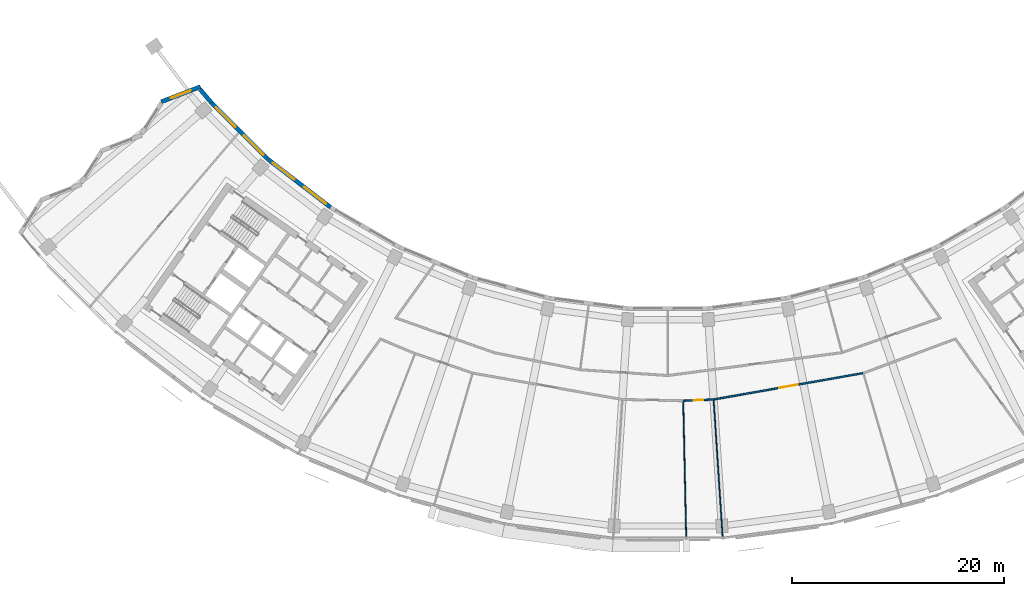
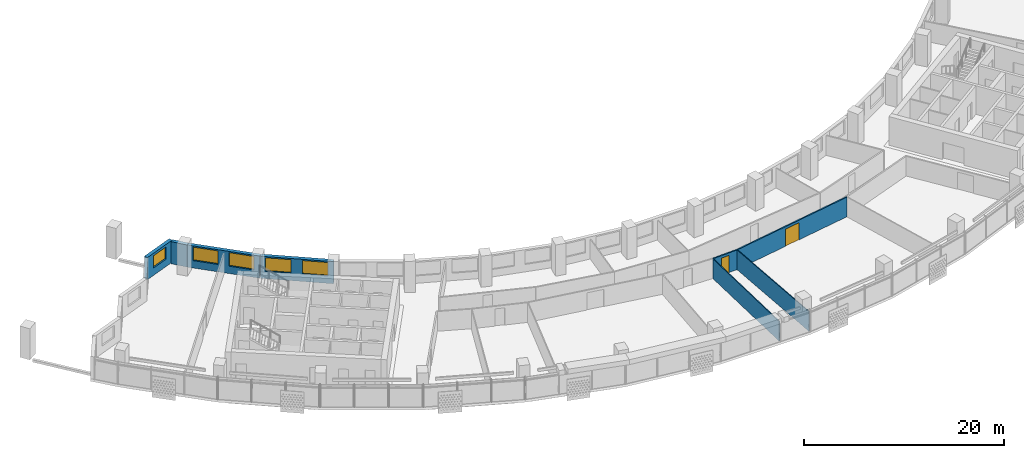
# One storey, part 5 of 27: 8 walls, 5 windows, 2 doors, 7 openings.
"""IFC4 building model written with IfcOpenShell, lengths in metres."""

from ifc_helpers import new_model, si_unit, direction, frame, frame_2d, origin, place, context, subcontext, project, spatial, rectangle, extrude, material, layer, layer_set, type_object, element, fill, save


model = new_model("IFC4")

# Units and contexts
model_context = context("Model", 3, precision=1e-05, world=origin(), true_north=direction((0.0, 1.0)))
body_context = subcontext(model_context, "Body", "Model", "MODEL_VIEW")
ifc_project = project(units=[si_unit("LENGTHUNIT", "METRE"), si_unit("AREAUNIT", "SQUARE_METRE"), si_unit("VOLUMEUNIT", "CUBIC_METRE"), si_unit("PLANEANGLEUNIT", "RADIAN"), si_unit("MASSUNIT", "GRAM", prefix="KILO")], contexts=[model_context])

# Site, building, storey
site_placement = place(None, origin())
site = spatial("IfcSite", under=ifc_project, at=site_placement, CompositionType="ELEMENT")
building_placement = place(site_placement, origin())
building = spatial("IfcBuilding", under=site, at=building_placement, Name="Qamariyya Broadcast Tower", CompositionType="ELEMENT")
storey_placement = place(building_placement, frame((0.0, 0.0, 175.89990234375)))
storey = spatial("IfcBuildingStorey", under=building, at=storey_placement, Name="L41", CompositionType="ELEMENT", Elevation=175.89990234375)

# Wall, opening, door
ifc_material_1 = material(Name="Gypsum board partition")
ifc_layer_1 = layer(ifc_material_1, 0.14990234375)
ifc_layer_set_1 = layer_set([ifc_layer_1], Name="Corridor partition 150 EI 60")
wall_type_1 = type_object("IfcWallType", Name="Corridor partition 150 EI 60", PredefinedType="PARTITIONING", material=ifc_layer_set_1)
wall_1_placement = place(storey_placement, frame((4.303466796875, -65.6591796875, 0.0), z_axis=(0.0, 0.0, 1.0), x_axis=(-0.999050369269, -0.043570169426, 0.0)))
wall_1 = element("IfcWall", 1, at=wall_1_placement, inside=storey, type_object=wall_type_1, Name="Partition L41-017", PredefinedType="PARTITIONING", context=body_context, shape_type="SweptSolid", body=[
    extrude(rectangle(XDim=2.868896484375, YDim=0.14990234375, at=frame_2d((1.4345703125, 0.0))), origin(), (0.0, 0.0, 1.0), 2.400146484375),
])
opening_1_placement = place(wall_1_placement, frame((0.984619140625, 0.0, 0.0)))
opening_1 = element("IfcOpeningElement", 2, at=opening_1_placement, cuts=wall_1, Name="Opening L41-D05", PredefinedType="OPENING", context=body_context, shape_type="SweptSolid", body=[
    extrude(rectangle(XDim=0.89990234375, YDim=2.10009765625, at=frame_2d((0.449951171875, 1.050048828125))), frame((0.0, 0.0849609375, 0.0), z_axis=(0.0, -1.0, 0.0), x_axis=(1.0, 0.0, 0.0)), (0.0, 0.0, 1.0), 0.169921875),
])
ifc_material_2 = material(Name="Timber fire door leaf", Category="wood")
door_type_1 = type_object("IfcDoorType", Name="Fire door 900 x 2100 FD60", OperationType="NOTDEFINED", PredefinedType="DOOR", material=ifc_material_2)
door_1_placement = place(opening_1_placement, origin())
door_1 = element("IfcDoor", 3, at=door_1_placement, inside=storey, type_object=door_type_1, Name="Door L41-D05", OperationType="SINGLE_SWING_RIGHT", OverallHeight=2.10009765625, OverallWidth=0.89990234375, PredefinedType="DOOR", context=body_context, shape_type="SweptSolid", body=[
    extrude(rectangle(XDim=0.89990234375, YDim=2.10009765625, at=frame_2d((0.449951171875, 1.050048828125))), frame((0.0, 0.02490234375, 0.0), z_axis=(0.0, -1.0, 0.0), x_axis=(1.0, 0.0, 0.0)), (0.0, 0.0, 1.0), 0.050048828125),
])
fill(opening_1, door_1)

wall_2_placement = place(storey_placement, frame((18.41455078125, -63.170654296875, 0.0), z_axis=(0.0, 0.0, 1.0), x_axis=(-0.984803449575, -0.173672581905, 0.0)))
wall_2 = element("IfcWall", 4, at=wall_2_placement, inside=storey, type_object=wall_type_1, Name="Partition L41-019", PredefinedType="PARTITIONING", context=body_context, shape_type="SweptSolid", body=[
    extrude(rectangle(XDim=14.328857421875, YDim=0.14990234375, at=frame_2d((7.16455078125, 0.0))), origin(), (0.0, 0.0, 1.0), 2.400146484375),
])
opening_2_placement = place(wall_2_placement, frame((6.264404296875, 0.0, 0.0)))
opening_2 = element("IfcOpeningElement", 5, at=opening_2_placement, cuts=wall_2, Name="Opening L41-D06", PredefinedType="OPENING", context=body_context, shape_type="SweptSolid", body=[
    extrude(rectangle(XDim=1.800048828125, YDim=2.10009765625, at=frame_2d((0.89990234375, 1.050048828125))), frame((0.0, 0.0849609375, 0.0), z_axis=(0.0, -1.0, 0.0), x_axis=(1.0, 0.0, 0.0)), (0.0, 0.0, 1.0), 0.169921875),
])
door_type_2 = type_object("IfcDoorType", Name="Double fire door 1800 x 2100 FD60", OperationType="NOTDEFINED", PredefinedType="DOOR", material=ifc_material_2)
door_2_placement = place(opening_2_placement, origin())
door_2 = element("IfcDoor", 6, at=door_2_placement, inside=storey, type_object=door_type_2, Name="Door L41-D06", OperationType="DOUBLE_DOOR_SINGLE_SWING", OverallHeight=2.10009765625, OverallWidth=1.800048828125, PredefinedType="DOOR", context=body_context, shape_type="SweptSolid", body=[
    extrude(rectangle(XDim=1.800048828125, YDim=2.10009765625, at=frame_2d((0.89990234375, 1.050048828125))), frame((0.0, 0.02490234375, 0.0), z_axis=(0.0, -1.0, 0.0), x_axis=(1.0, 0.0, 0.0)), (0.0, 0.0, 1.0), 0.050048828125),
])
fill(opening_2, door_2)

# Walls
ifc_layer_2 = layer(ifc_material_1, 0.10009765625)
ifc_layer_set_2 = layer_set([ifc_layer_2], Name="Partition 100")
wall_type_2 = type_object("IfcWallType", Name="Partition 100", PredefinedType="PARTITIONING", material=ifc_layer_set_2)
wall_3_placement = place(storey_placement, frame((1.718017578125, -78.630859375, 0.0), z_axis=(0.0, 0.0, 1.0), x_axis=(-0.021844457465, 0.99976138137, 0.0)))
element("IfcWall", 7, at=wall_3_placement, inside=storey, type_object=wall_type_2, Name="Partition L41-018", PredefinedType="PARTITIONING", context=body_context, shape_type="SweptSolid", body=[
    extrude(rectangle(XDim=12.7744140625, YDim=0.10009765625, at=frame_2d((6.38720703125, 0.0))), origin(), (0.0, 0.0, 1.0), 2.400146484375),
])
wall_4_placement = place(storey_placement, frame((5.15380859375, -78.63134765625, 0.0), z_axis=(0.0, 0.0, 1.0), x_axis=(-0.065411967988, 0.997858343877, 0.0)))
element("IfcWall", 8, at=wall_4_placement, inside=storey, type_object=wall_type_2, Name="Partition L41-020", PredefinedType="PARTITIONING", context=body_context, shape_type="SweptSolid", body=[
    extrude(rectangle(XDim=12.925048828125, YDim=0.10009765625, at=frame_2d((6.46240234375, 0.0))), origin(), (0.0, 0.0, 1.0), 2.400146484375),
])

# Wall, opening, window
ifc_material_3 = material(Name="Terracotta", Category="masonry")
ifc_layer_3 = layer(ifc_material_3, 0.39990234375)
ifc_layer_set_3 = layer_set([ifc_layer_3], Name="Terracotta clad wall 400")
wall_type_3 = type_object("IfcWallType", Name="Terracotta clad wall 400", PredefinedType="SOLIDWALL", material=ifc_layer_set_3)
wall_5_placement = place(storey_placement, frame((-44.077392578125, -36.16845703125, 0.0), z_axis=(0.0, 0.0, 1.0), x_axis=(-0.933644834031, -0.358200117095, 0.0)))
wall_5 = element("IfcWall", 9, at=wall_5_placement, inside=storey, type_object=wall_type_3, Name="e-wl-L41-capW0", PredefinedType="SOLIDWALL", context=body_context, shape_type="SweptSolid", body=[
    extrude(rectangle(XDim=3.948974609375, YDim=0.39990234375, at=frame_2d((1.974609375, 0.0))), origin(), (0.0, 0.0, 1.0), 2.7001953125),
])
opening_3_placement = place(wall_5_placement, frame((0.974609375, 0.0, 0.89990234375)))
opening_3 = element("IfcOpeningElement", 10, at=opening_3_placement, cuts=wall_5, Name="Opening W4", PredefinedType="OPENING", context=body_context, shape_type="SweptSolid", body=[
    extrude(rectangle(XDim=2.0, YDim=1.5, at=frame_2d((1.0, 0.75))), frame((0.0, 0.2099609375, 0.0), z_axis=(0.0, -1.0, 0.0), x_axis=(1.0, 0.0, 0.0)), (0.0, 0.0, 1.0), 0.419921875),
])
ifc_material_4 = material(Name="Clear low-e double glazed unit in aluminium frame", Category="aluminium")
window_type_1 = type_object("IfcWindowType", Name="Horn bay window 2000 x 1500", PartitioningType="SINGLE_PANEL", PredefinedType="WINDOW", material=ifc_material_4)
window_1_placement = place(opening_3_placement, origin())
window_1 = element("IfcWindow", 11, at=window_1_placement, inside=storey, type_object=window_type_1, Name="e-w-L41-capW0", OverallHeight=1.5, OverallWidth=2.0, PartitioningType="SINGLE_PANEL", PredefinedType="WINDOW", context=body_context, shape_type="SweptSolid", body=[
    extrude(rectangle(XDim=2.0, YDim=1.5, at=frame_2d((1.0, 0.75))), frame((0.0, 0.030029296875, 0.0), z_axis=(0.0, -1.0, 0.0), x_axis=(1.0, 0.0, 0.0)), (0.0, 0.0, 1.0), 0.06005859375),
])
fill(opening_3, window_1)

# Wall
wall_6_placement = place(storey_placement, frame((-43.0224609375, -37.694091796875, 0.0), z_axis=(0.0, 0.0, 1.0), x_axis=(-0.645572416809, 0.763699060268, 0.0)))
element("IfcWall", 12, at=wall_6_placement, inside=storey, type_object=wall_type_3, Name="e-wl-L41-in00", PredefinedType="SOLIDWALL", context=body_context, shape_type="SweptSolid", body=[
    extrude(rectangle(XDim=1.657470703125, YDim=0.39990234375, at=frame_2d((0.82861328125, 0.0))), origin(), (0.0, 0.0, 1.0), 2.7001953125),
])

# Wall, openings, windows
wall_7_placement = place(storey_placement, frame((-37.697265625, -43.023193359375, 0.0), z_axis=(0.0, 0.0, 1.0), x_axis=(-0.70709054247, 0.70712301953, 0.0)))
wall_7 = element("IfcWall", 13, at=wall_7_placement, inside=storey, type_object=wall_type_3, Name="e-wl-L41-in10", PredefinedType="SOLIDWALL", context=body_context, shape_type="SweptSolid", body=[
    extrude(rectangle(XDim=7.517333984375, YDim=0.39990234375, at=frame_2d((3.7587890625, 0.0))), origin(), (0.0, 0.0, 1.0), 2.7001953125),
])
opening_4_placement = place(wall_7_placement, frame((4.330078125, 0.0, 0.89990234375)))
opening_4 = element("IfcOpeningElement", 14, at=opening_4_placement, cuts=wall_7, Name="Opening W1", PredefinedType="OPENING", context=body_context, shape_type="SweptSolid", body=[
    extrude(rectangle(XDim=2.60009765625, YDim=1.64990234375, at=frame_2d((1.300048828125, 0.824951171875))), frame((0.0, 0.2099609375, 0.0), z_axis=(0.0, -1.0, 0.0), x_axis=(1.0, 0.0, 0.0)), (0.0, 0.0, 1.0), 0.419921875),
])
opening_5_placement = place(wall_7_placement, frame((0.60205078125, 0.0, 0.89990234375)))
opening_5 = element("IfcOpeningElement", 15, at=opening_5_placement, cuts=wall_7, Name="Opening W1", PredefinedType="OPENING", context=body_context, shape_type="SweptSolid", body=[
    extrude(rectangle(XDim=2.60009765625, YDim=1.64990234375, at=frame_2d((1.300048828125, 0.824951171875))), frame((0.0, 0.2099609375, 0.0), z_axis=(0.0, -1.0, 0.0), x_axis=(1.0, 0.0, 0.0)), (0.0, 0.0, 1.0), 0.419921875),
])
window_type_2 = type_object("IfcWindowType", Name="Ribbon window 2600 x 1650", PartitioningType="SINGLE_PANEL", PredefinedType="WINDOW", material=ifc_material_4)
window_2_placement = place(opening_4_placement, origin())
window_2 = element("IfcWindow", 16, at=window_2_placement, inside=storey, type_object=window_type_2, Name="e-w-L41-in01-0", OverallHeight=1.64990234375, OverallWidth=2.60009765625, PartitioningType="SINGLE_PANEL", PredefinedType="WINDOW", context=body_context, shape_type="SweptSolid", body=[
    extrude(rectangle(XDim=2.60009765625, YDim=1.64990234375, at=frame_2d((1.300048828125, 0.824951171875))), frame((0.0, 0.030029296875, 0.0), z_axis=(0.0, -1.0, 0.0), x_axis=(1.0, 0.0, 0.0)), (0.0, 0.0, 1.0), 0.06005859375),
])
fill(opening_4, window_2)
window_3_placement = place(opening_5_placement, origin())
window_3 = element("IfcWindow", 17, at=window_3_placement, inside=storey, type_object=window_type_2, Name="e-w-L41-in01-1", OverallHeight=1.64990234375, OverallWidth=2.60009765625, PartitioningType="SINGLE_PANEL", PredefinedType="WINDOW", context=body_context, shape_type="SweptSolid", body=[
    extrude(rectangle(XDim=2.60009765625, YDim=1.64990234375, at=frame_2d((1.300048828125, 0.824951171875))), frame((0.0, 0.030029296875, 0.0), z_axis=(0.0, -1.0, 0.0), x_axis=(1.0, 0.0, 0.0)), (0.0, 0.0, 1.0), 0.06005859375),
])
fill(opening_5, window_3)

wall_8_placement = place(storey_placement, frame((-31.819091796875, -47.529541015625, 0.0), z_axis=(0.0, 0.0, 1.0), x_axis=(-0.79334647843, 0.608770371457, 0.0)))
wall_8 = element("IfcWall", 18, at=wall_8_placement, inside=storey, type_object=wall_type_3, Name="e-wl-L41-in20", PredefinedType="SOLIDWALL", context=body_context, shape_type="SweptSolid", body=[
    extrude(rectangle(XDim=7.380615234375, YDim=0.39990234375, at=frame_2d((3.6904296875, 0.0))), origin(), (0.0, 0.0, 1.0), 2.7001953125),
])
opening_6_placement = place(wall_8_placement, frame((4.25439453125, 0.0, 0.89990234375)))
opening_6 = element("IfcOpeningElement", 19, at=opening_6_placement, cuts=wall_8, Name="Opening W1", PredefinedType="OPENING", context=body_context, shape_type="SweptSolid", body=[
    extrude(rectangle(XDim=2.60009765625, YDim=1.64990234375, at=frame_2d((1.300048828125, 0.824951171875))), frame((0.0, 0.2099609375, 0.0), z_axis=(0.0, -1.0, 0.0), x_axis=(1.0, 0.0, 0.0)), (0.0, 0.0, 1.0), 0.419921875),
])
opening_7_placement = place(wall_8_placement, frame((0.5263671875, 0.0, 0.89990234375)))
opening_7 = element("IfcOpeningElement", 20, at=opening_7_placement, cuts=wall_8, Name="Opening W1", PredefinedType="OPENING", context=body_context, shape_type="SweptSolid", body=[
    extrude(rectangle(XDim=2.60009765625, YDim=1.64990234375, at=frame_2d((1.300048828125, 0.824951171875))), frame((0.0, 0.2099609375, 0.0), z_axis=(0.0, -1.0, 0.0), x_axis=(1.0, 0.0, 0.0)), (0.0, 0.0, 1.0), 0.419921875),
])
window_4_placement = place(opening_6_placement, origin())
window_4 = element("IfcWindow", 21, at=window_4_placement, inside=storey, type_object=window_type_2, Name="e-w-L41-in02-0", OverallHeight=1.64990234375, OverallWidth=2.60009765625, PartitioningType="SINGLE_PANEL", PredefinedType="WINDOW", context=body_context, shape_type="SweptSolid", body=[
    extrude(rectangle(XDim=2.60009765625, YDim=1.64990234375, at=frame_2d((1.300048828125, 0.824951171875))), frame((0.0, 0.030029296875, 0.0), z_axis=(0.0, -1.0, 0.0), x_axis=(1.0, 0.0, 0.0)), (0.0, 0.0, 1.0), 0.06005859375),
])
fill(opening_6, window_4)
window_5_placement = place(opening_7_placement, origin())
window_5 = element("IfcWindow", 22, at=window_5_placement, inside=storey, type_object=window_type_2, Name="e-w-L41-in02-1", OverallHeight=1.64990234375, OverallWidth=2.60009765625, PartitioningType="SINGLE_PANEL", PredefinedType="WINDOW", context=body_context, shape_type="SweptSolid", body=[
    extrude(rectangle(XDim=2.60009765625, YDim=1.64990234375, at=frame_2d((1.300048828125, 0.824951171875))), frame((0.0, 0.030029296875, 0.0), z_axis=(0.0, -1.0, 0.0), x_axis=(1.0, 0.0, 0.0)), (0.0, 0.0, 1.0), 0.06005859375),
])
fill(opening_7, window_5)

save(model, "model.ifc")
